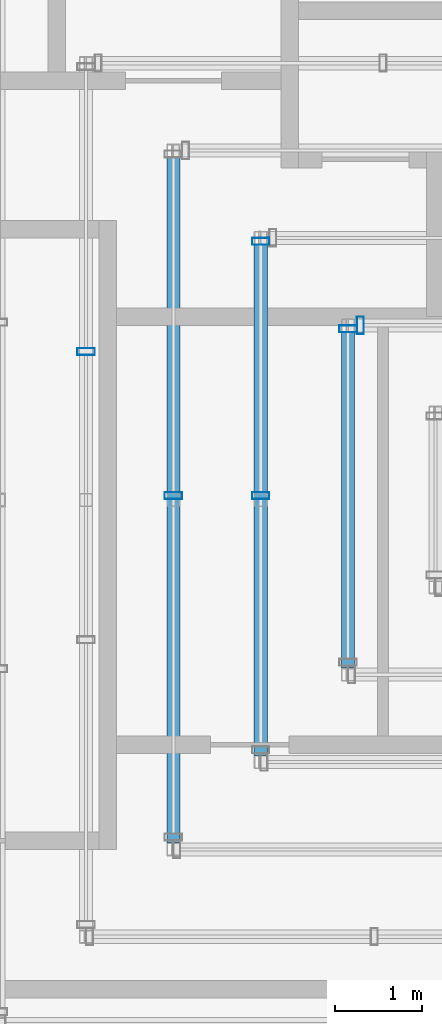
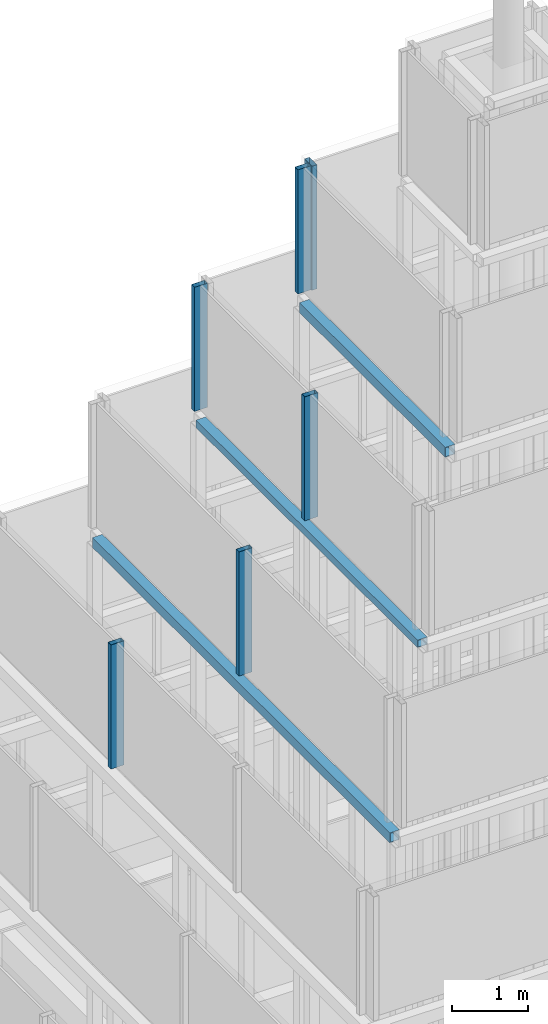
# One storey, part 9 of 24: 6 members, 3 beams, 5 elements without a shape of their own.
"""IFC4 building model written with IfcOpenShell, lengths in metres."""

import ifcopenshell
import ifcopenshell.guid

model = None  # the IFC model being written
_history = None  # IfcOwnerHistory: only IFC2X3 demands one
_inside = {}  # id of a spatial element -> (the spatial element, [elements in it])
_under = {}  # id of a project, library or spatial element -> (it, [spatial elements below it])
_declared = {}  # id of a project -> (the project, [libraries it declares])
_typed = {}  # id of a type object -> (the type object, [elements of that type])
_made_of = {}  # id of a material, layer set ... -> (it, [elements and type objects made of it])


def new_model(schema):
    """Start an empty IFC model of exactly this schema.

    Asked for "IFC4X3", IfcOpenShell would pick the latest addendum, in which some entities
    have other attributes; the version numbers below select the first issue.
    IFC2X3 requires an IfcOwnerHistory on every rooted entity: one is made here for all.
    """
    global model, _history
    if schema == "IFC4X3":
        model = ifcopenshell.file(schema_version=(4, 3, 0, 0))
    else:
        model = ifcopenshell.file(schema=schema)
    _inside.clear()
    _under.clear()
    _declared.clear()
    _typed.clear()
    _made_of.clear()
    _history = None
    if model.schema == "IFC2X3":
        org = make("IfcOrganization", Name="unknown")
        user = make(
            "IfcPersonAndOrganization",
            ThePerson=make("IfcPerson", FamilyName="unknown"),
            TheOrganization=org,
        )
        app = make(
            "IfcApplication",
            ApplicationDeveloper=org,
            Version="unknown",
            ApplicationFullName="unknown",
            ApplicationIdentifier="unknown",
        )
        _history = make(
            "IfcOwnerHistory",
            OwningUser=user,
            OwningApplication=app,
            ChangeAction="ADDED",
            CreationDate=0,
        )
    return model


def make(cls, **values):
    """One entity of the class cls with the attributes given. An attribute that is None is left unset."""
    return model.create_entity(
        cls, **{name: value for name, value in values.items() if value is not None}
    )


def rooted(cls, **values):
    """An entity with a GlobalId (a new one), such as an element, a storey or a relation."""
    return make(cls, GlobalId=ifcopenshell.guid.new(), OwnerHistory=_history, **values)


def si_unit(unit_type, name, prefix=None):
    """IfcSIUnit, for example si_unit("LENGTHUNIT", "METRE", prefix="MILLI")."""
    return make("IfcSIUnit", UnitType=unit_type, Prefix=prefix, Name=name)


def assignment(units):
    """IfcUnitAssignment: the units of a project."""
    return None if units is None else make("IfcUnitAssignment", Units=units)


def point(xyz):
    """IfcCartesianPoint."""
    return None if xyz is None else make("IfcCartesianPoint", Coordinates=xyz)


def direction(xyz):
    """IfcDirection."""
    return None if xyz is None else make("IfcDirection", DirectionRatios=xyz)


def frame(location, z_axis=None, x_axis=None):
    """IfcAxis2Placement3D, a coordinate frame: its origin and axes. An axis left out is left unset."""
    return make(
        "IfcAxis2Placement3D",
        Location=point(location),
        Axis=direction(z_axis),
        RefDirection=direction(x_axis),
    )


def frame_2d(location, x_axis=None):
    """IfcAxis2Placement2D, a coordinate frame in the plane: its origin and x axis."""
    return make(
        "IfcAxis2Placement2D", Location=point(location), RefDirection=direction(x_axis)
    )


def origin():
    """The frame at (0, 0, 0) with its axes left unset."""
    return frame((0.0, 0.0, 0.0))


def origin_2d():
    """The frame at (0, 0) in the plane with its x axis left unset."""
    return frame_2d((0.0, 0.0))


def place(relative_to, where):
    """IfcLocalPlacement: puts the frame where relative to a parent placement (None: the world)."""
    return make(
        "IfcLocalPlacement", PlacementRelTo=relative_to, RelativePlacement=where
    )


def context(
    kind, dimensions, precision=None, world=None, true_north=None, identifier=None
):
    """IfcGeometricRepresentationContext, for example the 3D "Model" context."""
    return make(
        "IfcGeometricRepresentationContext",
        ContextIdentifier=identifier,
        ContextType=kind,
        CoordinateSpaceDimension=dimensions,
        Precision=precision,
        WorldCoordinateSystem=world,
        TrueNorth=true_north,
    )


def subcontext(parent, identifier, kind, view, scale=None):
    """IfcGeometricRepresentationSubContext, for example "Body" below "Model"."""
    return make(
        "IfcGeometricRepresentationSubContext",
        ContextIdentifier=identifier,
        ContextType=kind,
        ParentContext=parent,
        TargetScale=scale,
        TargetView=view,
    )


def project(units=None, contexts=None):
    """IfcProject with its units and contexts."""
    return rooted(
        "IfcProject",
        Name="project",
        RepresentationContexts=contexts,
        UnitsInContext=assignment(units),
    )


def spatial(cls, under=None, at=None, **own):
    """A site, building, storey or space (cls), placed at a placement, below another one or the project."""
    s = rooted(cls, ObjectPlacement=at, **own)
    if under is not None:
        _under.setdefault(under.id(), (under, []))[1].append(s)
    return s


def profile(cls, at=None, kind="AREA", **sizes):
    """A parametric profile (cls). Its sizes go by their IFC names, for example OverallWidth=200.0."""
    return make(cls, ProfileType=kind, Position=at, **sizes)


def hollow_rectangle(**sizes):
    """IfcRectangleHollowProfileDef."""
    return profile("IfcRectangleHollowProfileDef", **sizes)


def extrude(swept, where, along, depth):
    """IfcExtrudedAreaSolid: the profile swept, set in the frame where, extruded along a direction by depth."""
    return make(
        "IfcExtrudedAreaSolid",
        SweptArea=swept,
        Position=where,
        ExtrudedDirection=direction(along),
        Depth=depth,
    )


def shape(context_of_items, identifier, shape_type, items):
    """IfcShapeRepresentation: the items that make up one representation, for example the "Body"."""
    return make(
        "IfcShapeRepresentation",
        ContextOfItems=context_of_items,
        RepresentationIdentifier=identifier,
        RepresentationType=shape_type,
        Items=items,
    )


def material(Name=None, Category=None):
    """IfcMaterial."""
    return make("IfcMaterial", Name=Name, Category=Category)


def material_profile(
    of_material, cross_section, Name=None, Category=None, Priority=None
):
    """IfcMaterialProfile: a cross section and its material."""
    return make(
        "IfcMaterialProfile",
        Name=Name,
        Material=of_material,
        Profile=cross_section,
        Priority=Priority,
        Category=Category,
    )


def profile_set(profiles, Name=None, composite=None):
    """IfcMaterialProfileSet."""
    return make(
        "IfcMaterialProfileSet",
        Name=Name,
        MaterialProfiles=profiles,
        CompositeProfile=composite,
    )


def made_of(thing, what):
    """Note that an element or type object is made of a material, layer set ...; save() writes the relation."""
    if what is not None:
        _made_of.setdefault(what.id(), (what, []))[1].append(thing)
    return thing


def type_object(cls, material=None, **own):
    """A type object (cls), such as IfcWallType, which elements share."""
    return made_of(rooted(cls, **own), material)


def element(
    cls,
    number,
    at=None,
    inside=None,
    cuts=None,
    type_object=None,
    material=None,
    context=None,
    identifier="Body",
    shape_type=None,
    held_by="IfcProductDefinitionShape",
    body=None,
    shapes=None,
    **own,
):
    """One element of the class cls, such as IfcWall. Its Tag is "e" and its number.

    at: its placement. inside: the storey or other place that contains it. cuts: it is an
    opening in that element (IfcRelVoidsElement). A single representation is given by context,
    identifier, shape_type and body (its items); several are given by shapes. held_by: the class
    of the entity that holds the representations. save() writes the other relations.
    """
    e = rooted(cls, Tag="e%d" % number, ObjectPlacement=at, **own)
    if body is not None:
        shapes = [shape(context, identifier, shape_type, body)]
    if shapes is not None:
        e.Representation = make(held_by, Representations=shapes)
    if inside is not None:
        _inside.setdefault(inside.id(), (inside, []))[1].append(e)
    if cuts is not None:
        rooted(
            "IfcRelVoidsElement", RelatingBuildingElement=cuts, RelatedOpeningElement=e
        )
    if type_object is not None:
        _typed.setdefault(type_object.id(), (type_object, []))[1].append(e)
    return made_of(e, material)


def aggregate(whole, parts):
    """IfcRelAggregates: a whole, such as a stair, and the parts it consists of."""
    return rooted("IfcRelAggregates", RelatingObject=whole, RelatedObjects=parts)


def save(model, path):
    """Write the relations noted so far, then the file.

    IfcRelAggregates (storeys below a building ...), IfcRelContainedInSpatialStructure (elements
    in a storey), IfcRelDefinesByType, IfcRelAssociatesMaterial and IfcRelDeclares: one each for
    every whole, place, type object, material and project.
    """
    for whole, parts in _under.values():
        aggregate(whole, parts)
    for where, things in _inside.values():
        rooted(
            "IfcRelContainedInSpatialStructure",
            RelatedElements=things,
            RelatingStructure=where,
        )
    for kind, things in _typed.values():
        rooted("IfcRelDefinesByType", RelatedObjects=things, RelatingType=kind)
    for what, things in _made_of.values():
        rooted("IfcRelAssociatesMaterial", RelatedObjects=things, RelatingMaterial=what)
    for by, libraries in _declared.values():
        rooted("IfcRelDeclares", RelatingContext=by, RelatedDefinitions=libraries)
    model.write(path)


model = new_model("IFC4")

# Units and contexts
model_context = context("Model", 3, precision=1e-05, world=origin(), true_north=direction((0.0, 1.0)))
body_context = subcontext(model_context, "Body", "Model", "MODEL_VIEW")
ifc_project = project(units=[si_unit("LENGTHUNIT", "METRE"), si_unit("AREAUNIT", "SQUARE_METRE"), si_unit("VOLUMEUNIT", "CUBIC_METRE"), si_unit("PLANEANGLEUNIT", "RADIAN"), si_unit("MASSUNIT", "GRAM", prefix="KILO")], contexts=[model_context])

# Site, building, storey
site_placement = place(None, origin())
site = spatial("IfcSite", under=ifc_project, at=site_placement, CompositionType="ELEMENT")
building_placement = place(site_placement, origin())
building = spatial("IfcBuilding", under=site, at=building_placement, Name="Altepetl Exchange Towers", CompositionType="ELEMENT")
storey_placement = place(building_placement, frame((0.0, 0.0, 279.10009765625)))
storey = spatial("IfcBuildingStorey", under=building, at=storey_placement, Name="L70 Crown plant", CompositionType="ELEMENT", Elevation=279.10009765625)

# Beams
ifc_material_1 = material(Name="Steel S355", Category="steel")
ifc_material_profile_1 = material_profile(ifc_material_1, hollow_rectangle(XDim=0.14990234375, YDim=0.1201171875, WallThickness=0.008056640625, at=origin_2d()), Name="RHS 120x150x8")
ifc_profile_set_1 = profile_set([ifc_material_profile_1], Name="Steel S355")
beam_type_1 = type_object("IfcBeamType", Name="Crown ring beam hollow section 150x120x8", PredefinedType="BEAM", material=ifc_profile_set_1)
beam_1_placement = place(storey_placement, frame((46.5, 52.425048828125, 15.039794921875), z_axis=(0.0, -1.0, 0.0), x_axis=(1.0, 0.0, 0.0)))
element("IfcBeam", 1, at=beam_1_placement, inside=storey, type_object=beam_type_1, Name="Crown ring beam", PredefinedType="BEAM", context=body_context, shape_type="SweptSolid", body=[
    extrude(hollow_rectangle(XDim=0.14990234375, YDim=0.1201171875, WallThickness=0.008056640625, at=origin_2d()), origin(), (0.0, 0.0, 1.0), 5.85009765625),
])
ifc_material_profile_2 = material_profile(ifc_material_1, hollow_rectangle(XDim=0.14990234375, YDim=0.159912109375, WallThickness=0.008056640625, at=origin_2d()), Name="RHS 160x150x8")
ifc_profile_set_2 = profile_set([ifc_material_profile_2], Name="Steel S355")
beam_type_2 = type_object("IfcBeamType", Name="Crown ring beam hollow section 150x160x8", PredefinedType="BEAM", material=ifc_profile_set_2)
beam_2_placement = place(storey_placement, frame((45.5, 53.425048828125, 12.869873046875), z_axis=(0.0, -1.0, 0.0), x_axis=(1.0, 0.0, 0.0)))
element("IfcBeam", 2, at=beam_2_placement, inside=storey, type_object=beam_type_2, Name="Crown ring beam", PredefinedType="BEAM", context=body_context, shape_type="SweptSolid", body=[
    extrude(hollow_rectangle(XDim=0.14990234375, YDim=0.159912109375, WallThickness=0.008056640625, at=origin_2d()), origin(), (0.0, 0.0, 1.0), 7.85009765625),
])
beam_3_placement = place(storey_placement, frame((47.5, 51.425048828125, 17.169921875), z_axis=(0.0, -1.0, 0.0), x_axis=(1.0, 0.0, 0.0)))
element("IfcBeam", 3, at=beam_3_placement, inside=storey, type_object=beam_type_2, Name="Crown ring beam", PredefinedType="BEAM", context=body_context, shape_type="SweptSolid", body=[
    extrude(hollow_rectangle(XDim=0.14990234375, YDim=0.159912109375, WallThickness=0.008056640625, at=origin_2d()), origin(), (0.0, 0.0, 1.0), 3.85009765625),
])

# Curtain wall, member
ifc_material_2 = material(Name="Aluminium 6063-T6 glazing", Category="aluminium")
curtain_wall_type = type_object("IfcCurtainWallType", Name="Crown glazing system", PredefinedType="NOTDEFINED", material=ifc_material_2)
curtain_wall_1_placement = place(storey_placement, origin())
curtain_wall_1 = element("IfcCurtainWall", 4, at=curtain_wall_1_placement, inside=storey, type_object=curtain_wall_type, Name="CW7 run", PredefinedType="NOTDEFINED")
ifc_material_3 = material(Name="Aluminium 6063-T6", Category="aluminium")
ifc_material_profile_3 = material_profile(ifc_material_3, hollow_rectangle(XDim=0.080078125, YDim=0.199951171875, WallThickness=0.0029296875, at=origin_2d()), Name="Mullion 80x200 hollow aluminium")
ifc_profile_set_3 = profile_set([ifc_material_profile_3], Name="Aluminium 6063-T6")
member_type = type_object("IfcMemberType", Name="Mullion 80x200 hollow aluminium", PredefinedType="MULLION", material=ifc_profile_set_3)
member_1_placement = place(storey_placement, frame((44.5, 51.199951171875, 10.949951171875), z_axis=(0.0, 0.0, 1.0), x_axis=(0.0, -1.0, 0.0)))
member_1 = element("IfcMember", 5, at=member_1_placement, type_object=member_type, Name="MU5 mullion", PredefinedType="MULLION", context=body_context, shape_type="SweptSolid", body=[
    extrude(hollow_rectangle(XDim=0.080078125, YDim=0.199951171875, WallThickness=0.0029296875, at=origin_2d()), origin(), (0.0, 0.0, 1.0), 2.0),
])
aggregate(curtain_wall_1, [member_1])

curtain_wall_2_placement = place(storey_placement, origin())
curtain_wall_2 = element("IfcCurtainWall", 6, at=curtain_wall_2_placement, inside=storey, type_object=curtain_wall_type, Name="CW7 run", PredefinedType="NOTDEFINED")
member_2_placement = place(storey_placement, frame((45.5, 49.550048828125, 13.099853515625), z_axis=(0.0, 0.0, 1.0), x_axis=(0.0, -1.0, 0.0)))
member_2 = element("IfcMember", 7, at=member_2_placement, type_object=member_type, Name="MU5 mullion", PredefinedType="MULLION", context=body_context, shape_type="SweptSolid", body=[
    extrude(hollow_rectangle(XDim=0.080078125, YDim=0.199951171875, WallThickness=0.0029296875, at=origin_2d()), origin(), (0.0, 0.0, 1.0), 2.0),
])
aggregate(curtain_wall_2, [member_2])

# Curtain wall, members
curtain_wall_3_placement = place(storey_placement, origin())
curtain_wall_3 = element("IfcCurtainWall", 8, at=curtain_wall_3_placement, inside=storey, type_object=curtain_wall_type, Name="CW7 run", PredefinedType="NOTDEFINED")
member_3_placement = place(storey_placement, frame((46.5, 52.4599609375, 15.25), z_axis=(0.0, 0.0, 1.0), x_axis=(0.0, -1.0, 0.0)))
member_3 = element("IfcMember", 9, at=member_3_placement, type_object=member_type, Name="MU5 mullion", PredefinedType="MULLION", context=body_context, shape_type="SweptSolid", body=[
    extrude(hollow_rectangle(XDim=0.080078125, YDim=0.199951171875, WallThickness=0.0029296875, at=origin_2d()), origin(), (0.0, 0.0, 1.0), 2.0),
])
member_4_placement = place(storey_placement, frame((46.5, 49.550048828125, 15.25), z_axis=(0.0, 0.0, 1.0), x_axis=(0.0, -1.0, 0.0)))
member_4 = element("IfcMember", 10, at=member_4_placement, type_object=member_type, Name="MU5 mullion", PredefinedType="MULLION", context=body_context, shape_type="SweptSolid", body=[
    extrude(hollow_rectangle(XDim=0.080078125, YDim=0.199951171875, WallThickness=0.0029296875, at=origin_2d()), origin(), (0.0, 0.0, 1.0), 2.0),
])
aggregate(curtain_wall_3, [member_3, member_4])

# Curtain wall, member
curtain_wall_4_placement = place(storey_placement, origin())
curtain_wall_4 = element("IfcCurtainWall", 11, at=curtain_wall_4_placement, inside=storey, type_object=curtain_wall_type, Name="CW7 run", PredefinedType="NOTDEFINED")
member_5_placement = place(storey_placement, frame((47.639892578125, 51.5, 17.39990234375), z_axis=(0.0, 0.0, 1.0), x_axis=(-1.0, 0.0, 0.0)))
member_5 = element("IfcMember", 12, at=member_5_placement, type_object=member_type, Name="MU5 mullion", PredefinedType="MULLION", context=body_context, shape_type="SweptSolid", body=[
    extrude(hollow_rectangle(XDim=0.080078125, YDim=0.199951171875, WallThickness=0.0029296875, at=origin_2d()), origin(), (0.0, 0.0, 1.0), 2.0),
])
aggregate(curtain_wall_4, [member_5])

curtain_wall_5_placement = place(storey_placement, origin())
curtain_wall_5 = element("IfcCurtainWall", 13, at=curtain_wall_5_placement, inside=storey, type_object=curtain_wall_type, Name="CW7 run", PredefinedType="NOTDEFINED")
member_6_placement = place(storey_placement, frame((47.5, 51.4599609375, 17.39990234375), z_axis=(0.0, 0.0, 1.0), x_axis=(0.0, -1.0, 0.0)))
member_6 = element("IfcMember", 14, at=member_6_placement, type_object=member_type, Name="MU5 mullion", PredefinedType="MULLION", context=body_context, shape_type="SweptSolid", body=[
    extrude(hollow_rectangle(XDim=0.080078125, YDim=0.199951171875, WallThickness=0.0029296875, at=origin_2d()), origin(), (0.0, 0.0, 1.0), 2.0),
])
aggregate(curtain_wall_5, [member_6])

save(model, "model.ifc")
